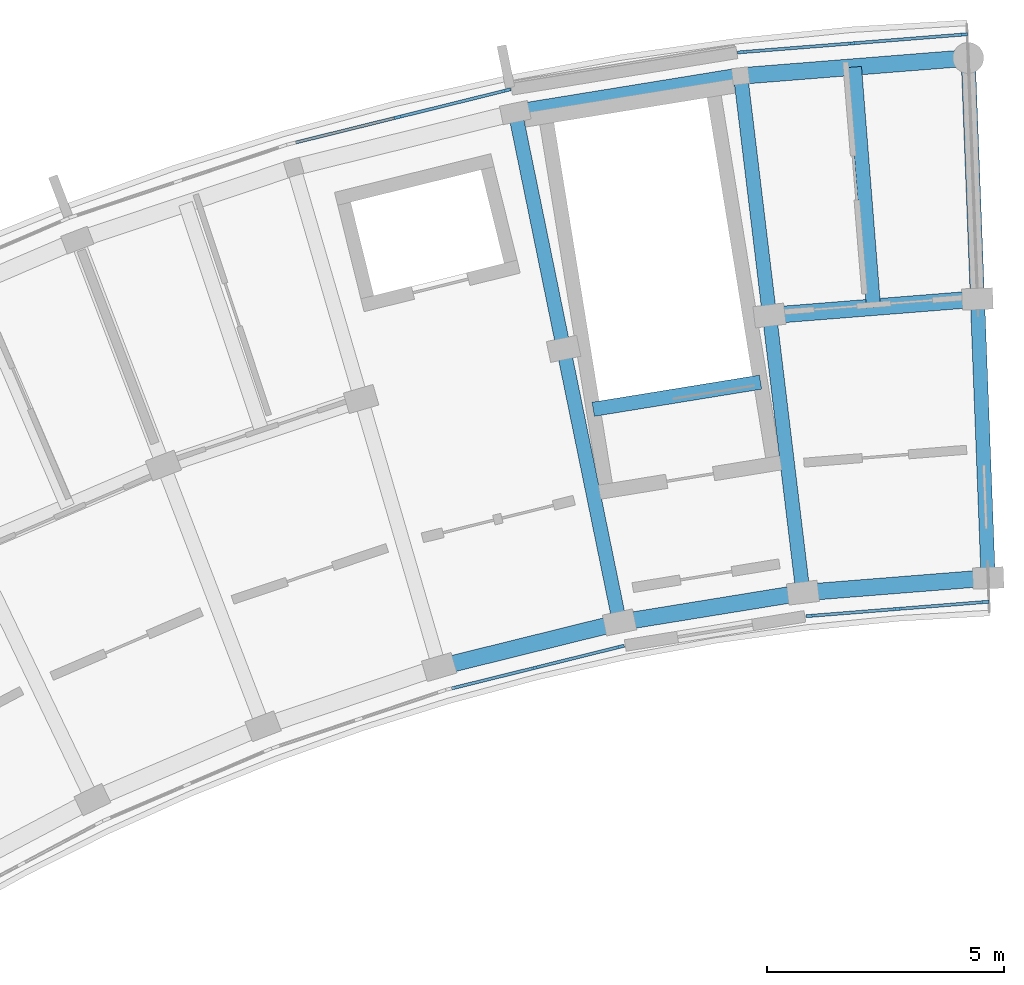
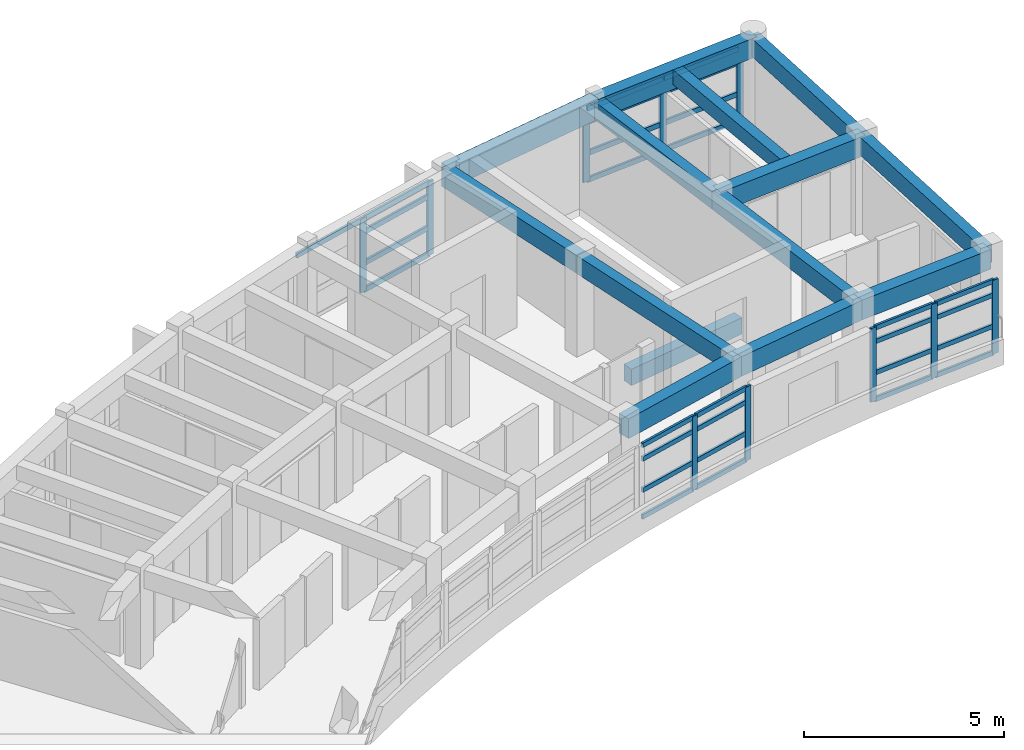
# One storey, part 5 of 11: 39 members, 14 beams, 4 elements without a shape of their own.
"""IFC4 building model written with IfcOpenShell, lengths in metres."""

from ifc_helpers import new_model, si_unit, direction, frame, origin, origin_2d, place, context, subcontext, project, spatial, rectangle, extrude, material, material_profile, profile_set, type_object, element, aggregate, save


model = new_model("IFC4")

# Units and contexts
model_context = context("Model", 3, precision=1e-05, world=origin(), true_north=direction((0.0, 1.0)))
body_context = subcontext(model_context, "Body", "Model", "MODEL_VIEW")
ifc_project = project(units=[si_unit("LENGTHUNIT", "METRE"), si_unit("AREAUNIT", "SQUARE_METRE"), si_unit("VOLUMEUNIT", "CUBIC_METRE"), si_unit("PLANEANGLEUNIT", "RADIAN"), si_unit("MASSUNIT", "GRAM", prefix="KILO")], contexts=[model_context])

# Site, building, storey
site_placement = place(None, origin())
site = spatial("IfcSite", under=ifc_project, at=site_placement, CompositionType="ELEMENT")
building_placement = place(site_placement, origin())
building = spatial("IfcBuilding", under=site, at=building_placement, Name="Zimvara Arc Housing Community", CompositionType="ELEMENT")
storey_placement = place(building_placement, frame((0.0, 0.0, 42.199951171875)))
storey = spatial("IfcBuildingStorey", under=building, at=storey_placement, Name="L13", CompositionType="ELEMENT", Elevation=42.199951171875)

# Beams
ifc_material_1 = material(Name="Concrete C40/50", Category="concrete")
ifc_material_profile_1 = material_profile(ifc_material_1, rectangle(XDim=0.300048828125, YDim=0.449951171875, at=origin_2d()), Name="RC 300x450")
ifc_profile_set_1 = profile_set([ifc_material_profile_1], Name="Concrete C40/50")
beam_type_1 = type_object("IfcBeamType", Name="BM-RC-300x450", PredefinedType="JOIST", material=ifc_profile_set_1)
beam_1_placement = place(storey_placement, frame((40.7451171875, 98.08642578125, 2.695068359375), z_axis=(-0.079171686291, 0.99686099537, 0.0), x_axis=(-0.99686099537, -0.079171686291, 0.0)))
element("IfcBeam", 1, at=beam_1_placement, inside=storey, type_object=beam_type_1, Name="bm:blkA:L13:joist:b9", PredefinedType="JOIST", context=body_context, shape_type="SweptSolid", body=[
    extrude(rectangle(XDim=0.300048828125, YDim=0.449951171875, at=origin_2d()), origin(), (0.0, 0.0, 1.0), 5.07568359375),
])
ifc_material_2 = material(Name="Concrete C40/50", Category="concrete")
ifc_material_profile_2 = material_profile(ifc_material_2, rectangle(XDim=0.300048828125, YDim=0.5, at=origin_2d()), Name="RC 300x500")
ifc_profile_set_2 = profile_set([ifc_material_profile_2], Name="Concrete C40/50")
beam_type_2 = type_object("IfcBeamType", Name="BM-RC-300x500", PredefinedType="BEAM", material=ifc_profile_set_2)
beam_2_placement = place(storey_placement, frame((38.3662109375, 96.509033203125, -0.25), z_axis=(-0.987080057935, -0.160227835371, 0.0), x_axis=(0.160227835371, -0.987080057935, 0.0)))
element("IfcBeam", 2, at=beam_2_placement, inside=storey, type_object=beam_type_2, Name="bm:stair_trim:ST-A2:L13:near", PredefinedType="BEAM", context=body_context, shape_type="SweptSolid", body=[
    extrude(rectangle(XDim=0.300048828125, YDim=0.5, at=origin_2d()), origin(), (0.0, 0.0, 1.0), 3.570068359375),
])
ifc_material_3 = material(Name="Concrete C40/50", Category="concrete")
ifc_material_profile_3 = material_profile(ifc_material_3, rectangle(XDim=0.300048828125, YDim=0.550048828125, at=origin_2d()), Name="RC 300x550")
ifc_profile_set_3 = profile_set([ifc_material_profile_3], Name="Concrete C40/50")
beam_type_3 = type_object("IfcBeamType", Name="BM-RC-300x550", PredefinedType="BEAM", material=ifc_profile_set_3)
beam_3_placement = place(storey_placement, frame((35.397216796875, 91.447998046875, 2.64501953125), z_axis=(-0.200417973989, 0.979710485655, 0.0), x_axis=(-0.979710485655, -0.200417973989, 0.0)))
element("IfcBeam", 3, at=beam_3_placement, inside=storey, type_object=beam_type_3, Name="bm:blkA:L13:rad:b8:r12", PredefinedType="BEAM", context=body_context, shape_type="SweptSolid", body=[
    extrude(rectangle(XDim=0.300048828125, YDim=0.550048828125, at=origin_2d()), origin(), (0.0, 0.0, 1.0), 5.880126953125),
])
beam_4_placement = place(storey_placement, frame((34.21875, 97.208740234375, 2.64501953125), z_axis=(-0.200411962389, 0.97971171542, 0.0), x_axis=(-0.97971171542, -0.200411962389, 0.0)))
element("IfcBeam", 4, at=beam_4_placement, inside=storey, type_object=beam_type_3, Name="bm:blkA:L13:rad:b8:r23", PredefinedType="BEAM", context=body_context, shape_type="SweptSolid", body=[
    extrude(rectangle(XDim=0.300048828125, YDim=0.550048828125, at=origin_2d()), origin(), (0.0, 0.0, 1.0), 5.079833984375),
])
beam_5_placement = place(storey_placement, frame((39.259765625, 92.074951171875, 2.64501953125), z_axis=(-0.119827921695, 0.992794676246, 0.0), x_axis=(-0.992794676246, -0.119827921695, 0.0)))
element("IfcBeam", 5, at=beam_5_placement, inside=storey, type_object=beam_type_3, Name="bm:blkA:L13:rad:b9:r12", PredefinedType="BEAM", context=body_context, shape_type="SweptSolid", body=[
    extrude(rectangle(XDim=0.300048828125, YDim=0.550048828125, at=origin_2d()), origin(), (0.0, 0.0, 1.0), 5.880126953125),
])
beam_6_placement = place(storey_placement, frame((38.55517578125, 97.91259765625, 2.64501953125), z_axis=(-0.119762990499, 0.99280251113, 0.0), x_axis=(-0.99280251113, -0.119762990499, 0.0)))
element("IfcBeam", 6, at=beam_6_placement, inside=storey, type_object=beam_type_3, Name="bm:blkA:L13:rad:b9:r23", PredefinedType="BEAM", context=body_context, shape_type="SweptSolid", body=[
    extrude(rectangle(XDim=0.300048828125, YDim=0.550048828125, at=origin_2d()), origin(), (0.0, 0.0, 1.0), 5.080078125),
])
beam_7_placement = place(storey_placement, frame((43.160400390625, 92.384765625, 2.64501953125), z_axis=(-0.038366147405, 0.999263748333, 0.0), x_axis=(-0.999263748333, -0.038366147405, 0.0)))
element("IfcBeam", 7, at=beam_7_placement, inside=storey, type_object=beam_type_3, Name="bm:blkA:L13:rad:b10:r12", PredefinedType="BEAM", context=body_context, shape_type="SweptSolid", body=[
    extrude(rectangle(XDim=0.300048828125, YDim=0.550048828125, at=origin_2d()), origin(), (0.0, 0.0, 1.0), 5.8798828125),
])
beam_8_placement = place(storey_placement, frame((42.934814453125, 98.26025390625, 2.64501953125), z_axis=(-0.038398054907, 0.999262522753, 0.0), x_axis=(-0.999262522753, -0.038398054907, 0.0)))
element("IfcBeam", 8, at=beam_8_placement, inside=storey, type_object=beam_type_3, Name="bm:blkA:L13:rad:b10:r23", PredefinedType="BEAM", context=body_context, shape_type="SweptSolid", body=[
    extrude(rectangle(XDim=0.300048828125, YDim=0.550048828125, at=origin_2d()), origin(), (0.0, 0.0, 1.0), 5.080078125),
])
ifc_material_4 = material(Name="Concrete C40/50", Category="concrete")
ifc_material_profile_4 = material_profile(ifc_material_4, rectangle(XDim=0.35009765625, YDim=0.60009765625, at=origin_2d()), Name="RC 350x600")
ifc_profile_set_4 = profile_set([ifc_material_profile_4], Name="Concrete C40/50")
beam_type_4 = type_object("IfcBeamType", Name="BM-RC-350x600", PredefinedType="BEAM", material=ifc_profile_set_4)
for number, where, z_axis, x_axis, name in (
    (9, (31.5986328125, 90.5078125, 2.6201171875), (0.970708671682, 0.240259598602, 0.0), (-0.240259598602, 0.970708671682, 0.0), "bm:blkA:L13:chord:r1:b7"),
    (10, (35.397216796875, 91.447998046875, 2.6201171875), (0.987081487371, 0.160219029111, 0.0), (-0.160219029111, 0.987081487371, 0.0), "bm:blkA:L13:chord:r1:b8"),
):
    element("IfcBeam", number, at=place(storey_placement, frame(where, z_axis=z_axis, x_axis=x_axis)), inside=storey, type_object=beam_type_4, Name=name, PredefinedType="BEAM", context=body_context, shape_type="SweptSolid", body=[
        extrude(rectangle(XDim=0.35009765625, YDim=0.60009765625, at=origin_2d()), origin(), (0.0, 0.0, 1.0), 3.9130859375),
    ])
beam_9_placement = place(storey_placement, frame((39.259765625, 92.074951171875, 2.6201171875), z_axis=(0.99686054795, 0.079177319606, 0.0), x_axis=(-0.079177319606, 0.99686054795, 0.0)))
element("IfcBeam", 11, at=beam_9_placement, inside=storey, type_object=beam_type_4, Name="bm:blkA:L13:chord:r1:b9", PredefinedType="BEAM", context=body_context, shape_type="SweptSolid", body=[
    extrude(rectangle(XDim=0.35009765625, YDim=0.60009765625, at=origin_2d()), origin(), (0.0, 0.0, 1.0), 3.912841796875),
])
beam_10_placement = place(storey_placement, frame((38.55517578125, 97.91259765625, 2.6201171875), z_axis=(0.996864209836, 0.079131202119, 0.0), x_axis=(-0.079131202119, 0.996864209836, 0.0)))
element("IfcBeam", 12, at=beam_10_placement, inside=storey, type_object=beam_type_4, Name="bm:blkA:L13:chord:r2:b9", PredefinedType="BEAM", context=body_context, shape_type="SweptSolid", body=[
    extrude(rectangle(XDim=0.35009765625, YDim=0.60009765625, at=origin_2d()), origin(), (0.0, 0.0, 1.0), 4.393310546875),
])
beam_11_placement = place(storey_placement, frame((33.20068359375, 102.185546875, 2.6201171875), z_axis=(0.987076839731, 0.160247659784, 0.0), x_axis=(-0.160247659784, 0.987076839731, 0.0)))
element("IfcBeam", 13, at=beam_11_placement, inside=storey, type_object=beam_type_4, Name="bm:blkA:L13:chord:r3:b8", PredefinedType="BEAM", context=body_context, shape_type="SweptSolid", body=[
    extrude(rectangle(XDim=0.35009765625, YDim=0.60009765625, at=origin_2d()), origin(), (0.0, 0.0, 1.0), 4.808349609375),
])
beam_12_placement = place(storey_placement, frame((37.94677734375, 102.9560546875, 2.6201171875), z_axis=(0.996861768207, 0.0791619548, 0.0), x_axis=(-0.0791619548, 0.996861768207, 0.0)))
element("IfcBeam", 14, at=beam_12_placement, inside=storey, type_object=beam_type_4, Name="bm:blkA:L13:chord:r3:b9", PredefinedType="BEAM", context=body_context, shape_type="SweptSolid", body=[
    extrude(rectangle(XDim=0.35009765625, YDim=0.60009765625, at=origin_2d()), origin(), (0.0, 0.0, 1.0), 4.80810546875),
])

# Curtain wall, members
ifc_material_5 = material(Name="Anodised Aluminium AW-6063", Category="aluminium")
curtain_wall_type_1 = type_object("IfcCurtainWallType", Name="CW-SYS-06", PredefinedType="USERDEFINED", material=ifc_material_5)
curtain_wall_1_placement = place(storey_placement, origin())
curtain_wall_1 = element("IfcCurtainWall", 15, at=curtain_wall_1_placement, inside=storey, type_object=curtain_wall_type_1, Name="cw:blkA:L13:in:b7", ObjectType="CURTAIN WALL", PredefinedType="USERDEFINED")
ifc_material_6 = material(Name="Anodised Aluminium AW-6063", Category="aluminium")
ifc_material_profile_5 = material_profile(ifc_material_6, rectangle(XDim=0.06494140625, YDim=0.179931640625, at=origin_2d()), Name="ALU 65x180")
ifc_profile_set_5 = profile_set([ifc_material_profile_5], Name="Anodised Aluminium AW-6063")
member_type_1 = type_object("IfcMemberType", Name="CWM-65x150", PredefinedType="MULLION", material=ifc_profile_set_5)
member_1_placement = place(storey_placement, frame((33.617919921875, 90.492919921875, 0.0), z_axis=(0.0, 0.0, 1.0), x_axis=(-0.240229186313, 0.970716198507, 0.0)))
member_1 = element("IfcMember", 16, at=member_1_placement, type_object=member_type_1, Name="CW06 mullion 2", PredefinedType="MULLION", context=body_context, shape_type="SweptSolid", body=[
    extrude(rectangle(XDim=0.06494140625, YDim=0.179931640625, at=origin_2d()), origin(), (0.0, 0.0, 1.0), 2.25),
])
member_2_placement = place(storey_placement, frame((35.407470703125, 90.935791015625, 0.0), z_axis=(0.0, 0.0, 1.0), x_axis=(-0.240229186313, 0.970716198507, 0.0)))
member_2 = element("IfcMember", 17, at=member_2_placement, type_object=member_type_1, Name="CW06 mullion 3", PredefinedType="MULLION", context=body_context, shape_type="SweptSolid", body=[
    extrude(rectangle(XDim=0.06494140625, YDim=0.179931640625, at=origin_2d()), origin(), (0.0, 0.0, 1.0), 2.25),
])

ifc_material_7 = material(Name="Anodised Aluminium AW-6063", Category="aluminium")
curtain_wall_type_2 = type_object("IfcCurtainWallType", Name="CW-SYS-08", PredefinedType="USERDEFINED", material=ifc_material_7)
curtain_wall_2_placement = place(storey_placement, origin())
curtain_wall_2 = element("IfcCurtainWall", 18, at=curtain_wall_2_placement, inside=storey, type_object=curtain_wall_type_2, Name="cw:blkA:L13:in:b9", ObjectType="CURTAIN WALL", PredefinedType="USERDEFINED")
member_3_placement = place(storey_placement, frame((39.411865234375, 91.5859375, 0.0), z_axis=(0.0, 0.0, 1.0), x_axis=(-0.079155101851, 0.996862312384, 0.0)))
member_3 = element("IfcMember", 19, at=member_3_placement, type_object=member_type_1, Name="CW08 mullion 1", PredefinedType="MULLION", context=body_context, shape_type="SweptSolid", body=[
    extrude(rectangle(XDim=0.06494140625, YDim=0.179931640625, at=origin_2d()), origin(), (0.0, 0.0, 1.0), 2.25),
])
member_4_placement = place(storey_placement, frame((41.24951171875, 91.731689453125, 0.0), z_axis=(0.0, 0.0, 1.0), x_axis=(-0.079155101851, 0.996862312384, 0.0)))
member_4 = element("IfcMember", 20, at=member_4_placement, type_object=member_type_1, Name="CW08 mullion 2", PredefinedType="MULLION", context=body_context, shape_type="SweptSolid", body=[
    extrude(rectangle(XDim=0.06494140625, YDim=0.179931640625, at=origin_2d()), origin(), (0.0, 0.0, 1.0), 2.25),
])
member_5_placement = place(storey_placement, frame((43.08740234375, 91.877685546875, 0.0), z_axis=(0.0, 0.0, 1.0), x_axis=(-0.079155101851, 0.996862312384, 0.0)))
member_5 = element("IfcMember", 21, at=member_5_placement, type_object=member_type_1, Name="CW08 mullion 3", PredefinedType="MULLION", context=body_context, shape_type="SweptSolid", body=[
    extrude(rectangle(XDim=0.06494140625, YDim=0.179931640625, at=origin_2d()), origin(), (0.0, 0.0, 1.0), 2.25),
])

ifc_material_8 = material(Name="Anodised Aluminium AW-6063", Category="aluminium")
curtain_wall_type_3 = type_object("IfcCurtainWallType", Name="CW-SYS-05", PredefinedType="USERDEFINED", material=ifc_material_8)
curtain_wall_3_placement = place(storey_placement, origin())
curtain_wall_3 = element("IfcCurtainWall", 22, at=curtain_wall_3_placement, inside=storey, type_object=curtain_wall_type_3, Name="cw:blkA:L13:out:b7", ObjectType="CURTAIN WALL", PredefinedType="USERDEFINED")
ifc_material_9 = material(Name="Anodised Aluminium AW-6063", Category="aluminium")
ifc_material_profile_6 = material_profile(ifc_material_9, rectangle(XDim=0.06494140625, YDim=0.195068359375, at=origin_2d()), Name="ALU 65x195")
ifc_profile_set_6 = profile_set([ifc_material_profile_6], Name="Anodised Aluminium AW-6063")
member_type_2 = type_object("IfcMemberType", Name="CWM-65x180", PredefinedType="MULLION", material=ifc_profile_set_6)
member_6_placement = place(storey_placement, frame((30.7470703125, 102.093017578125, 0.0), z_axis=(0.0, 0.0, 1.0), x_axis=(-0.240229711131, 0.970716068627, 0.0)))
member_6 = element("IfcMember", 23, at=member_6_placement, type_object=member_type_2, Name="CW05 mullion 2", PredefinedType="MULLION", context=body_context, shape_type="SweptSolid", body=[
    extrude(rectangle(XDim=0.06494140625, YDim=0.195068359375, at=origin_2d()), origin(), (0.0, 0.0, 1.0), 2.25),
])
member_7_placement = place(storey_placement, frame((33.0107421875, 102.6533203125, 0.0), z_axis=(0.0, 0.0, 1.0), x_axis=(-0.240229711131, 0.970716068627, 0.0)))
member_7 = element("IfcMember", 24, at=member_7_placement, type_object=member_type_2, Name="CW05 mullion 3", PredefinedType="MULLION", context=body_context, shape_type="SweptSolid", body=[
    extrude(rectangle(XDim=0.06494140625, YDim=0.195068359375, at=origin_2d()), origin(), (0.0, 0.0, 1.0), 2.25),
])

ifc_material_10 = material(Name="Anodised Aluminium AW-6063", Category="aluminium")
curtain_wall_type_4 = type_object("IfcCurtainWallType", Name="CW-SYS-07", PredefinedType="USERDEFINED", material=ifc_material_10)
curtain_wall_4_placement = place(storey_placement, origin())
curtain_wall_4 = element("IfcCurtainWall", 25, at=curtain_wall_4_placement, inside=storey, type_object=curtain_wall_type_4, Name="cw:blkA:L13:out:b9", ObjectType="CURTAIN WALL", PredefinedType="USERDEFINED")
member_8_placement = place(storey_placement, frame((37.97900390625, 103.459716796875, 0.0), z_axis=(0.0, 0.0, 1.0), x_axis=(-0.079153759607, 0.996862418963, 0.0)))
member_8 = element("IfcMember", 26, at=member_8_placement, type_object=member_type_2, Name="CW07 mullion 1", PredefinedType="MULLION", context=body_context, shape_type="SweptSolid", body=[
    extrude(rectangle(XDim=0.06494140625, YDim=0.195068359375, at=origin_2d()), origin(), (0.0, 0.0, 1.0), 2.25),
])
member_9_placement = place(storey_placement, frame((40.3037109375, 103.644287109375, 0.0), z_axis=(0.0, 0.0, 1.0), x_axis=(-0.079153759607, 0.996862418963, 0.0)))
member_9 = element("IfcMember", 27, at=member_9_placement, type_object=member_type_2, Name="CW07 mullion 2", PredefinedType="MULLION", context=body_context, shape_type="SweptSolid", body=[
    extrude(rectangle(XDim=0.06494140625, YDim=0.195068359375, at=origin_2d()), origin(), (0.0, 0.0, 1.0), 2.25),
])
member_10_placement = place(storey_placement, frame((42.62841796875, 103.828857421875, 0.0), z_axis=(0.0, 0.0, 1.0), x_axis=(-0.079153759607, 0.996862418963, 0.0)))
member_10 = element("IfcMember", 28, at=member_10_placement, type_object=member_type_2, Name="CW07 mullion 3", PredefinedType="MULLION", context=body_context, shape_type="SweptSolid", body=[
    extrude(rectangle(XDim=0.06494140625, YDim=0.195068359375, at=origin_2d()), origin(), (0.0, 0.0, 1.0), 2.25),
])

# Member
ifc_material_11 = material(Name="Anodised Aluminium AW-6063", Category="aluminium")
ifc_material_profile_7 = material_profile(ifc_material_11, rectangle(XDim=0.06494140625, YDim=0.139892578125, at=origin_2d()), Name="ALU 65x140")
ifc_profile_set_7 = profile_set([ifc_material_profile_7], Name="Anodised Aluminium AW-6063")
member_type_3 = type_object("IfcMemberType", Name="CWT-65x120", PredefinedType="USERDEFINED", material=ifc_profile_set_7)
member_11_placement = place(storey_placement, frame((31.85986328125, 90.057861328125, 0.032470703125), z_axis=(0.970721060666, 0.240209538485, 0.0), x_axis=(-0.240209538485, 0.970721060666, 0.0)))
member_11 = element("IfcMember", 29, at=member_11_placement, type_object=member_type_3, Name="CW06 transom 1.1", ObjectType="TRANSOM", PredefinedType="USERDEFINED", context=body_context, shape_type="SweptSolid", body=[
    extrude(rectangle(XDim=0.06494140625, YDim=0.139892578125, at=origin_2d()), origin(), (0.0, 0.0, 1.0), 1.778564453125),
])

member_12_placement = place(storey_placement, frame((31.85986328125, 90.057861328125, 0.85009765625), z_axis=(0.970721060666, 0.240209538485, 0.0), x_axis=(-0.240209538485, 0.970721060666, 0.0)))
member_12 = element("IfcMember", 30, at=member_12_placement, type_object=member_type_3, Name="CW06 transom 1.2", ObjectType="TRANSOM", PredefinedType="USERDEFINED", context=body_context, shape_type="SweptSolid", body=[
    extrude(rectangle(XDim=0.06494140625, YDim=0.139892578125, at=origin_2d()), origin(), (0.0, 0.0, 1.0), 1.778564453125),
])

member_13_placement = place(storey_placement, frame((31.85986328125, 90.057861328125, 1.800048828125), z_axis=(0.970721060666, 0.240209538485, 0.0), x_axis=(-0.240209538485, 0.970721060666, 0.0)))
member_13 = element("IfcMember", 31, at=member_13_placement, type_object=member_type_3, Name="CW06 transom 1.3", ObjectType="TRANSOM", PredefinedType="USERDEFINED", context=body_context, shape_type="SweptSolid", body=[
    extrude(rectangle(XDim=0.06494140625, YDim=0.139892578125, at=origin_2d()), origin(), (0.0, 0.0, 1.0), 1.778564453125),
])

member_14_placement = place(storey_placement, frame((31.85986328125, 90.057861328125, 2.217529296875), z_axis=(0.970721060666, 0.240209538485, 0.0), x_axis=(-0.240209538485, 0.970721060666, 0.0)))
member_14 = element("IfcMember", 32, at=member_14_placement, type_object=member_type_3, Name="CW06 transom 1.4", ObjectType="TRANSOM", PredefinedType="USERDEFINED", context=body_context, shape_type="SweptSolid", body=[
    extrude(rectangle(XDim=0.06494140625, YDim=0.139892578125, at=origin_2d()), origin(), (0.0, 0.0, 1.0), 1.778564453125),
])

member_15_placement = place(storey_placement, frame((33.6494140625, 90.500732421875, 0.032470703125), z_axis=(0.970721060666, 0.240209538485, 0.0), x_axis=(-0.240209538485, 0.970721060666, 0.0)))
member_15 = element("IfcMember", 33, at=member_15_placement, type_object=member_type_3, Name="CW06 transom 2.1", ObjectType="TRANSOM", PredefinedType="USERDEFINED", context=body_context, shape_type="SweptSolid", body=[
    extrude(rectangle(XDim=0.06494140625, YDim=0.139892578125, at=origin_2d()), origin(), (0.0, 0.0, 1.0), 1.778564453125),
])

member_16_placement = place(storey_placement, frame((33.6494140625, 90.500732421875, 0.85009765625), z_axis=(0.970721060666, 0.240209538485, 0.0), x_axis=(-0.240209538485, 0.970721060666, 0.0)))
member_16 = element("IfcMember", 34, at=member_16_placement, type_object=member_type_3, Name="CW06 transom 2.2", ObjectType="TRANSOM", PredefinedType="USERDEFINED", context=body_context, shape_type="SweptSolid", body=[
    extrude(rectangle(XDim=0.06494140625, YDim=0.139892578125, at=origin_2d()), origin(), (0.0, 0.0, 1.0), 1.778564453125),
])

member_17_placement = place(storey_placement, frame((33.6494140625, 90.500732421875, 1.800048828125), z_axis=(0.970721060666, 0.240209538485, 0.0), x_axis=(-0.240209538485, 0.970721060666, 0.0)))
member_17 = element("IfcMember", 35, at=member_17_placement, type_object=member_type_3, Name="CW06 transom 2.3", ObjectType="TRANSOM", PredefinedType="USERDEFINED", context=body_context, shape_type="SweptSolid", body=[
    extrude(rectangle(XDim=0.06494140625, YDim=0.139892578125, at=origin_2d()), origin(), (0.0, 0.0, 1.0), 1.778564453125),
])

member_18_placement = place(storey_placement, frame((33.6494140625, 90.500732421875, 2.217529296875), z_axis=(0.970721060666, 0.240209538485, 0.0), x_axis=(-0.240209538485, 0.970721060666, 0.0)))
member_18 = element("IfcMember", 36, at=member_18_placement, type_object=member_type_3, Name="CW06 transom 2.4", ObjectType="TRANSOM", PredefinedType="USERDEFINED", context=body_context, shape_type="SweptSolid", body=[
    extrude(rectangle(XDim=0.06494140625, YDim=0.139892578125, at=origin_2d()), origin(), (0.0, 0.0, 1.0), 1.778564453125),
])

aggregate(curtain_wall_1, [member_1, member_2, member_11, member_12, member_13, member_14, member_15, member_16, member_17, member_18])

member_19_placement = place(storey_placement, frame((39.444091796875, 91.58837890625, 0.032470703125), z_axis=(0.996859203924, 0.079194239386, 0.0), x_axis=(-0.079194239386, 0.996859203924, 0.0)))
member_19 = element("IfcMember", 37, at=member_19_placement, type_object=member_type_3, Name="CW08 transom 1.1", ObjectType="TRANSOM", PredefinedType="USERDEFINED", context=body_context, shape_type="SweptSolid", body=[
    extrude(rectangle(XDim=0.06494140625, YDim=0.139892578125, at=origin_2d()), origin(), (0.0, 0.0, 1.0), 1.77880859375),
])

member_20_placement = place(storey_placement, frame((39.444091796875, 91.58837890625, 0.85009765625), z_axis=(0.996859203924, 0.079194239386, 0.0), x_axis=(-0.079194239386, 0.996859203924, 0.0)))
member_20 = element("IfcMember", 38, at=member_20_placement, type_object=member_type_3, Name="CW08 transom 1.2", ObjectType="TRANSOM", PredefinedType="USERDEFINED", context=body_context, shape_type="SweptSolid", body=[
    extrude(rectangle(XDim=0.06494140625, YDim=0.139892578125, at=origin_2d()), origin(), (0.0, 0.0, 1.0), 1.77880859375),
])

member_21_placement = place(storey_placement, frame((39.444091796875, 91.58837890625, 1.800048828125), z_axis=(0.996859203924, 0.079194239386, 0.0), x_axis=(-0.079194239386, 0.996859203924, 0.0)))
member_21 = element("IfcMember", 39, at=member_21_placement, type_object=member_type_3, Name="CW08 transom 1.3", ObjectType="TRANSOM", PredefinedType="USERDEFINED", context=body_context, shape_type="SweptSolid", body=[
    extrude(rectangle(XDim=0.06494140625, YDim=0.139892578125, at=origin_2d()), origin(), (0.0, 0.0, 1.0), 1.77880859375),
])

member_22_placement = place(storey_placement, frame((39.444091796875, 91.58837890625, 2.217529296875), z_axis=(0.996859203924, 0.079194239386, 0.0), x_axis=(-0.079194239386, 0.996859203924, 0.0)))
member_22 = element("IfcMember", 40, at=member_22_placement, type_object=member_type_3, Name="CW08 transom 1.4", ObjectType="TRANSOM", PredefinedType="USERDEFINED", context=body_context, shape_type="SweptSolid", body=[
    extrude(rectangle(XDim=0.06494140625, YDim=0.139892578125, at=origin_2d()), origin(), (0.0, 0.0, 1.0), 1.77880859375),
])

member_23_placement = place(storey_placement, frame((41.281982421875, 91.734375, 0.032470703125), z_axis=(0.996858342942, 0.079205076271, 0.0), x_axis=(-0.079205076271, 0.996858342942, 0.0)))
member_23 = element("IfcMember", 41, at=member_23_placement, type_object=member_type_3, Name="CW08 transom 2.1", ObjectType="TRANSOM", PredefinedType="USERDEFINED", context=body_context, shape_type="SweptSolid", body=[
    extrude(rectangle(XDim=0.06494140625, YDim=0.139892578125, at=origin_2d()), origin(), (0.0, 0.0, 1.0), 1.778564453125),
])

member_24_placement = place(storey_placement, frame((41.281982421875, 91.734375, 0.85009765625), z_axis=(0.996858342942, 0.079205076271, 0.0), x_axis=(-0.079205076271, 0.996858342942, 0.0)))
member_24 = element("IfcMember", 42, at=member_24_placement, type_object=member_type_3, Name="CW08 transom 2.2", ObjectType="TRANSOM", PredefinedType="USERDEFINED", context=body_context, shape_type="SweptSolid", body=[
    extrude(rectangle(XDim=0.06494140625, YDim=0.139892578125, at=origin_2d()), origin(), (0.0, 0.0, 1.0), 1.778564453125),
])

member_25_placement = place(storey_placement, frame((41.281982421875, 91.734375, 1.800048828125), z_axis=(0.996858342942, 0.079205076271, 0.0), x_axis=(-0.079205076271, 0.996858342942, 0.0)))
member_25 = element("IfcMember", 43, at=member_25_placement, type_object=member_type_3, Name="CW08 transom 2.3", ObjectType="TRANSOM", PredefinedType="USERDEFINED", context=body_context, shape_type="SweptSolid", body=[
    extrude(rectangle(XDim=0.06494140625, YDim=0.139892578125, at=origin_2d()), origin(), (0.0, 0.0, 1.0), 1.778564453125),
])

member_26_placement = place(storey_placement, frame((41.281982421875, 91.734375, 2.217529296875), z_axis=(0.996858342942, 0.079205076271, 0.0), x_axis=(-0.079205076271, 0.996858342942, 0.0)))
member_26 = element("IfcMember", 44, at=member_26_placement, type_object=member_type_3, Name="CW08 transom 2.4", ObjectType="TRANSOM", PredefinedType="USERDEFINED", context=body_context, shape_type="SweptSolid", body=[
    extrude(rectangle(XDim=0.06494140625, YDim=0.139892578125, at=origin_2d()), origin(), (0.0, 0.0, 1.0), 1.778564453125),
])

aggregate(curtain_wall_2, [member_3, member_4, member_5, member_19, member_20, member_21, member_22, member_23, member_24, member_25, member_26])

ifc_material_12 = material(Name="Anodised Aluminium AW-6063", Category="aluminium")
ifc_material_profile_8 = material_profile(ifc_material_12, rectangle(XDim=0.06494140625, YDim=0.155029296875, at=origin_2d()), Name="ALU 65x155")
ifc_profile_set_8 = profile_set([ifc_material_profile_8], Name="Anodised Aluminium AW-6063")
member_type_4 = type_object("IfcMemberType", Name="CWT-65x140", PredefinedType="USERDEFINED", material=ifc_profile_set_8)
member_27_placement = place(storey_placement, frame((28.51513671875, 101.540771484375, 2.217529296875), z_axis=(0.970728837212, 0.240178110172, 0.0), x_axis=(-0.240178110172, 0.970728837212, 0.0)))
member_27 = element("IfcMember", 45, at=member_27_placement, type_object=member_type_4, Name="CW05 transom 1.4", ObjectType="TRANSOM", PredefinedType="USERDEFINED", context=body_context, shape_type="SweptSolid", body=[
    extrude(rectangle(XDim=0.06494140625, YDim=0.155029296875, at=origin_2d()), origin(), (0.0, 0.0, 1.0), 2.266845703125),
])

member_28_placement = place(storey_placement, frame((30.77880859375, 102.100830078125, 0.032470703125), z_axis=(0.970703721793, 0.240279596507, 0.0), x_axis=(-0.240279596507, 0.970703721793, 0.0)))
member_28 = element("IfcMember", 46, at=member_28_placement, type_object=member_type_4, Name="CW05 transom 2.1", ObjectType="TRANSOM", PredefinedType="USERDEFINED", context=body_context, shape_type="SweptSolid", body=[
    extrude(rectangle(XDim=0.06494140625, YDim=0.155029296875, at=origin_2d()), origin(), (0.0, 0.0, 1.0), 2.266845703125),
])

member_29_placement = place(storey_placement, frame((30.77880859375, 102.100830078125, 0.85009765625), z_axis=(0.970703721793, 0.240279596507, 0.0), x_axis=(-0.240279596507, 0.970703721793, 0.0)))
member_29 = element("IfcMember", 47, at=member_29_placement, type_object=member_type_4, Name="CW05 transom 2.2", ObjectType="TRANSOM", PredefinedType="USERDEFINED", context=body_context, shape_type="SweptSolid", body=[
    extrude(rectangle(XDim=0.06494140625, YDim=0.155029296875, at=origin_2d()), origin(), (0.0, 0.0, 1.0), 2.266845703125),
])

member_30_placement = place(storey_placement, frame((30.77880859375, 102.100830078125, 1.800048828125), z_axis=(0.970703721793, 0.240279596507, 0.0), x_axis=(-0.240279596507, 0.970703721793, 0.0)))
member_30 = element("IfcMember", 48, at=member_30_placement, type_object=member_type_4, Name="CW05 transom 2.3", ObjectType="TRANSOM", PredefinedType="USERDEFINED", context=body_context, shape_type="SweptSolid", body=[
    extrude(rectangle(XDim=0.06494140625, YDim=0.155029296875, at=origin_2d()), origin(), (0.0, 0.0, 1.0), 2.266845703125),
])

member_31_placement = place(storey_placement, frame((30.77880859375, 102.100830078125, 2.217529296875), z_axis=(0.970703721793, 0.240279596507, 0.0), x_axis=(-0.240279596507, 0.970703721793, 0.0)))
member_31 = element("IfcMember", 49, at=member_31_placement, type_object=member_type_4, Name="CW05 transom 2.4", ObjectType="TRANSOM", PredefinedType="USERDEFINED", context=body_context, shape_type="SweptSolid", body=[
    extrude(rectangle(XDim=0.06494140625, YDim=0.155029296875, at=origin_2d()), origin(), (0.0, 0.0, 1.0), 2.266845703125),
])

aggregate(curtain_wall_3, [member_6, member_7, member_27, member_28, member_29, member_30, member_31])

member_32_placement = place(storey_placement, frame((38.011474609375, 103.46240234375, 0.032470703125), z_axis=(0.996862021022, 0.079158771116, 0.0), x_axis=(-0.079158771116, 0.996862021022, 0.0)))
member_32 = element("IfcMember", 50, at=member_32_placement, type_object=member_type_4, Name="CW07 transom 1.1", ObjectType="TRANSOM", PredefinedType="USERDEFINED", context=body_context, shape_type="SweptSolid", body=[
    extrude(rectangle(XDim=0.06494140625, YDim=0.155029296875, at=origin_2d()), origin(), (0.0, 0.0, 1.0), 2.266845703125),
])

member_33_placement = place(storey_placement, frame((38.011474609375, 103.46240234375, 0.85009765625), z_axis=(0.996862021022, 0.079158771116, 0.0), x_axis=(-0.079158771116, 0.996862021022, 0.0)))
member_33 = element("IfcMember", 51, at=member_33_placement, type_object=member_type_4, Name="CW07 transom 1.2", ObjectType="TRANSOM", PredefinedType="USERDEFINED", context=body_context, shape_type="SweptSolid", body=[
    extrude(rectangle(XDim=0.06494140625, YDim=0.155029296875, at=origin_2d()), origin(), (0.0, 0.0, 1.0), 2.266845703125),
])

member_34_placement = place(storey_placement, frame((38.011474609375, 103.46240234375, 1.800048828125), z_axis=(0.996862021022, 0.079158771116, 0.0), x_axis=(-0.079158771116, 0.996862021022, 0.0)))
member_34 = element("IfcMember", 52, at=member_34_placement, type_object=member_type_4, Name="CW07 transom 1.3", ObjectType="TRANSOM", PredefinedType="USERDEFINED", context=body_context, shape_type="SweptSolid", body=[
    extrude(rectangle(XDim=0.06494140625, YDim=0.155029296875, at=origin_2d()), origin(), (0.0, 0.0, 1.0), 2.266845703125),
])

member_35_placement = place(storey_placement, frame((38.011474609375, 103.46240234375, 2.217529296875), z_axis=(0.996862021022, 0.079158771116, 0.0), x_axis=(-0.079158771116, 0.996862021022, 0.0)))
member_35 = element("IfcMember", 53, at=member_35_placement, type_object=member_type_4, Name="CW07 transom 1.4", ObjectType="TRANSOM", PredefinedType="USERDEFINED", context=body_context, shape_type="SweptSolid", body=[
    extrude(rectangle(XDim=0.06494140625, YDim=0.155029296875, at=origin_2d()), origin(), (0.0, 0.0, 1.0), 2.266845703125),
])

member_36_placement = place(storey_placement, frame((40.336181640625, 103.64697265625, 0.032470703125), z_axis=(0.996862021022, 0.079158771116, 0.0), x_axis=(-0.079158771116, 0.996862021022, 0.0)))
member_36 = element("IfcMember", 54, at=member_36_placement, type_object=member_type_4, Name="CW07 transom 2.1", ObjectType="TRANSOM", PredefinedType="USERDEFINED", context=body_context, shape_type="SweptSolid", body=[
    extrude(rectangle(XDim=0.06494140625, YDim=0.155029296875, at=origin_2d()), origin(), (0.0, 0.0, 1.0), 2.266845703125),
])

member_37_placement = place(storey_placement, frame((40.336181640625, 103.64697265625, 0.85009765625), z_axis=(0.996862021022, 0.079158771116, 0.0), x_axis=(-0.079158771116, 0.996862021022, 0.0)))
member_37 = element("IfcMember", 55, at=member_37_placement, type_object=member_type_4, Name="CW07 transom 2.2", ObjectType="TRANSOM", PredefinedType="USERDEFINED", context=body_context, shape_type="SweptSolid", body=[
    extrude(rectangle(XDim=0.06494140625, YDim=0.155029296875, at=origin_2d()), origin(), (0.0, 0.0, 1.0), 2.266845703125),
])

member_38_placement = place(storey_placement, frame((40.336181640625, 103.64697265625, 1.800048828125), z_axis=(0.996862021022, 0.079158771116, 0.0), x_axis=(-0.079158771116, 0.996862021022, 0.0)))
member_38 = element("IfcMember", 56, at=member_38_placement, type_object=member_type_4, Name="CW07 transom 2.3", ObjectType="TRANSOM", PredefinedType="USERDEFINED", context=body_context, shape_type="SweptSolid", body=[
    extrude(rectangle(XDim=0.06494140625, YDim=0.155029296875, at=origin_2d()), origin(), (0.0, 0.0, 1.0), 2.266845703125),
])

member_39_placement = place(storey_placement, frame((40.336181640625, 103.64697265625, 2.217529296875), z_axis=(0.996862021022, 0.079158771116, 0.0), x_axis=(-0.079158771116, 0.996862021022, 0.0)))
member_39 = element("IfcMember", 57, at=member_39_placement, type_object=member_type_4, Name="CW07 transom 2.4", ObjectType="TRANSOM", PredefinedType="USERDEFINED", context=body_context, shape_type="SweptSolid", body=[
    extrude(rectangle(XDim=0.06494140625, YDim=0.155029296875, at=origin_2d()), origin(), (0.0, 0.0, 1.0), 2.266845703125),
])

aggregate(curtain_wall_4, [member_8, member_9, member_10, member_32, member_33, member_34, member_35, member_36, member_37, member_38, member_39])

save(model, "model.ifc")
